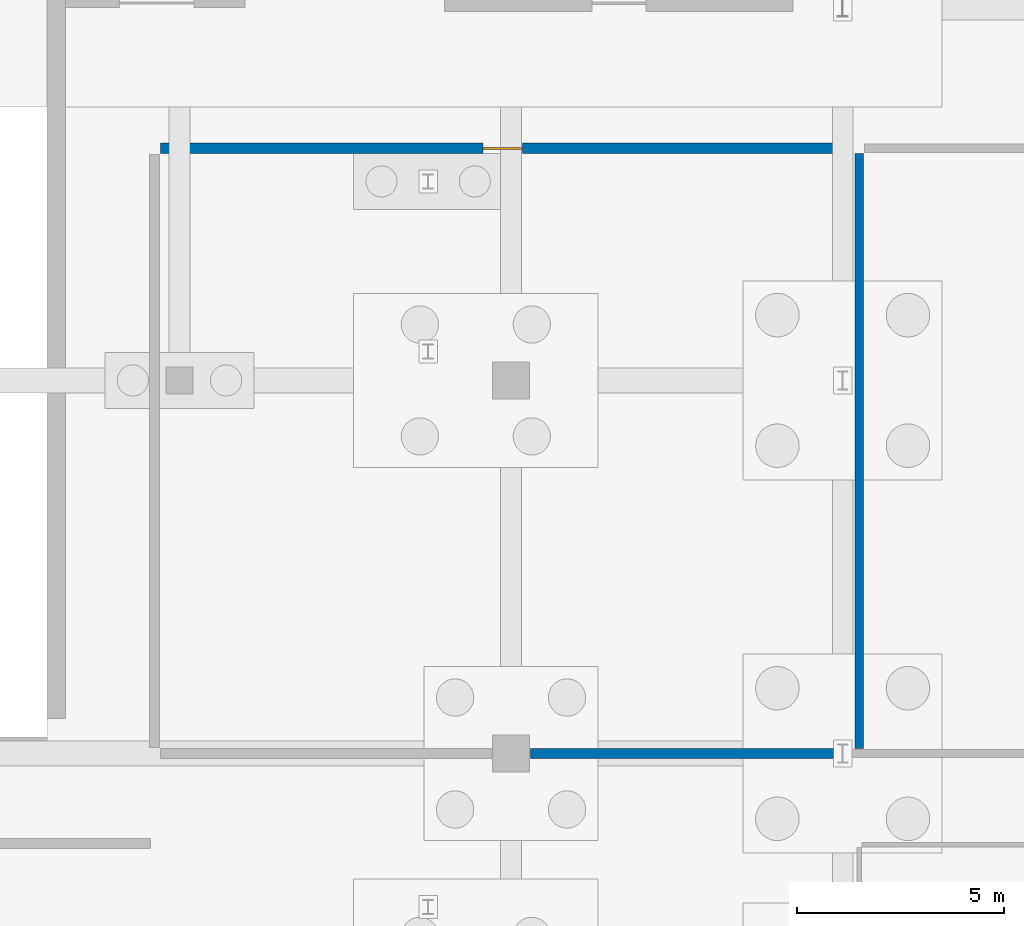
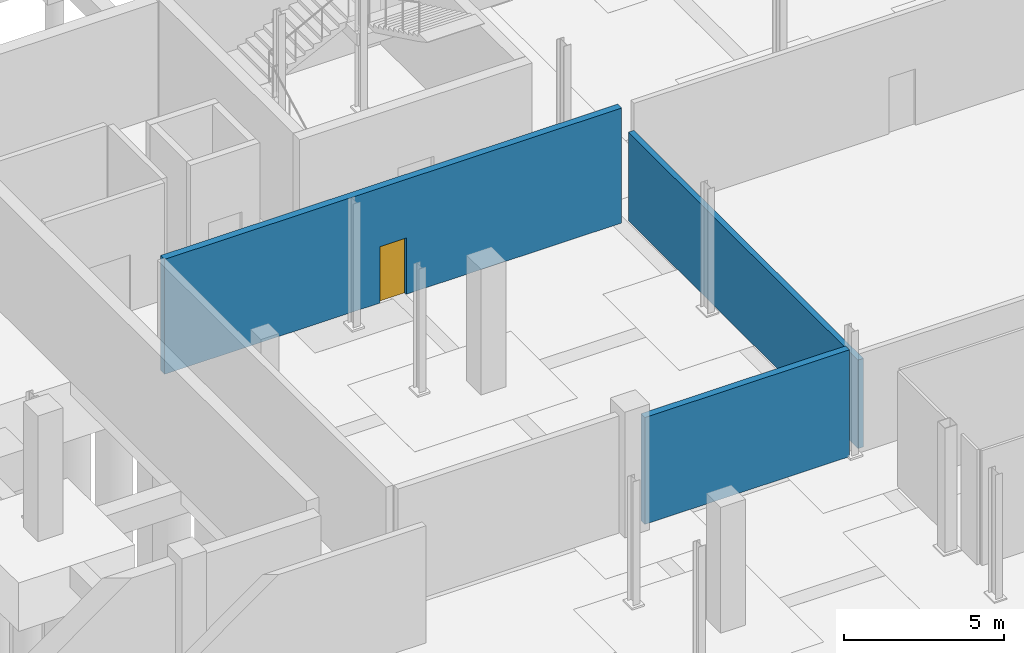
# One storey, part 26 of 32: 3 walls, 1 door, 1 opening.
"""IFC4 building model written with IfcOpenShell, lengths in metres."""

from ifc_helpers import new_model, si_unit, derived_unit, direction, frame, frame_2d, origin, place, context, subcontext, project, spatial, rectangle, extrude, material, layer, layer_set, type_object, element, fill, save


model = new_model("IFC4")

# Units and contexts
model_context = context("Model", 3, precision=1e-05, world=origin(), true_north=direction((0.0, 1.0)))
body_context = subcontext(model_context, "Body", "Model", "MODEL_VIEW")
ifc_project = project(units=[si_unit("LENGTHUNIT", "METRE"), si_unit("AREAUNIT", "SQUARE_METRE"), si_unit("VOLUMEUNIT", "CUBIC_METRE"), si_unit("PLANEANGLEUNIT", "RADIAN"), si_unit("MASSUNIT", "GRAM", prefix="KILO"), derived_unit("THERMALTRANSMITTANCEUNIT", [(si_unit("POWERUNIT", "WATT"), 1), (si_unit("LENGTHUNIT", "METRE"), -2), (si_unit("THERMODYNAMICTEMPERATUREUNIT", "KELVIN"), -1)])], contexts=[model_context])

# Site, building, storey
site_placement = place(None, origin())
site = spatial("IfcSite", under=ifc_project, at=site_placement, CompositionType="ELEMENT")
building_placement = place(site_placement, origin())
building = spatial("IfcBuilding", under=site, at=building_placement, Name="Nallur Shell Playhouse", CompositionType="ELEMENT")
storey_placement = place(building_placement, frame((0.0, 0.0, -4.800048828125)))
storey = spatial("IfcBuildingStorey", under=building, at=storey_placement, Name="B1", CompositionType="ELEMENT", Elevation=-4.800048828125)

# Wall
ifc_material_1 = material(Name="Concrete M30", Category="concrete")
ifc_layer_1 = layer(ifc_material_1, 0.199951171875)
ifc_layer_set_1 = layer_set([ifc_layer_1], Name="Concrete M30")
wall_type_1 = type_object("IfcWallType", Name="WL-PART-AC200", PredefinedType="PARTITIONING", material=ifc_layer_set_1)
wall_1_placement = place(storey_placement, frame((64.39990234375, 56.1201171875, 0.0), z_axis=(0.0, 0.0, 1.0), x_axis=(0.0, 1.0, 0.0)))
element("IfcWall", 1, at=wall_1_placement, inside=storey, type_object=wall_type_1, Name="Stage Trap & Revolving Lift Chamber partition IW-B1-0017", PredefinedType="PARTITIONING", context=body_context, shape_type="SweptSolid", body=[
    extrude(rectangle(XDim=14.35986328125, YDim=0.199951171875, at=frame_2d((7.179931640625, 0.0))), origin(), (0.0, 0.0, 1.0), 3.380126953125),
])

# Wall, opening, door
ifc_layer_2 = layer(ifc_material_1, 0.25)
ifc_layer_set_2 = layer_set([ifc_layer_2], Name="Concrete M30")
wall_type_2 = type_object("IfcWallType", Name="WL-PART-AC250", PredefinedType="PARTITIONING", material=ifc_layer_set_2)
wall_2_placement = place(storey_placement, frame((47.544921875, 70.60009765625, 0.0), z_axis=(0.0, 0.0, 1.0), x_axis=(1.0, 0.0, 0.0)))
wall_2 = element("IfcWall", 2, at=wall_2_placement, inside=storey, type_object=wall_type_2, Name="Fire Fighting Pump Room & 200kL Wet Riser Tank partition IW-B1-0021", PredefinedType="PARTITIONING", context=body_context, shape_type="SweptSolid", body=[
    extrude(rectangle(XDim=16.510009765625, YDim=0.25, at=frame_2d((8.2548828125, 0.0))), origin(), (0.0, 0.0, 1.0), 4.39013671875),
])
opening_placement = place(wall_2_placement, frame((7.780029296875, 0.0, 0.0)))
opening = element("IfcOpeningElement", 3, at=opening_placement, cuts=wall_2, Name="Opening ID-03", PredefinedType="OPENING", context=body_context, shape_type="SweptSolid", body=[
    extrude(rectangle(XDim=0.949951171875, YDim=2.14990234375, at=frame_2d((0.47509765625, 1.074951171875))), frame((0.0, 0.135009765625, 0.0), z_axis=(0.0, -1.0, 0.0), x_axis=(1.0, 0.0, 0.0)), (0.0, 0.0, 1.0), 0.27001953125),
])
ifc_material_2 = material(Name="Solid-Core Engineered Timber Door", Category="wood")
door_type = type_object("IfcDoorType", Name="DR-INT-SGL950L", OperationType="SINGLE_SWING_LEFT", PredefinedType="DOOR", material=ifc_material_2)
door_placement = place(opening_placement, origin())
door = element("IfcDoor", 4, at=door_placement, inside=storey, type_object=door_type, Name="Fire Fighting Pump Room & 200kL Wet Riser Tank door 1", OperationType="SINGLE_SWING_LEFT", OverallHeight=2.14990234375, OverallWidth=0.949951171875, PredefinedType="DOOR", context=body_context, shape_type="SweptSolid", body=[
    extrude(rectangle(XDim=0.949951171875, YDim=2.14990234375, at=frame_2d((0.47509765625, 1.074951171875))), frame((0.0, 0.02490234375, 0.0), z_axis=(0.0, -1.0, 0.0), x_axis=(1.0, 0.0, 0.0)), (0.0, 0.0, 1.0), 0.050048828125),
])
fill(opening, door)

# Wall
wall_3_placement = place(storey_placement, frame((63.860107421875, 56.0, 0.0), z_axis=(0.0, 0.0, 1.0), x_axis=(-1.0, 0.0, 0.0)))
element("IfcWall", 5, at=wall_3_placement, inside=storey, type_object=wall_type_2, Name="Fire Fighting Pump Room & 200kL Wet Riser Tank partition IW-B1-0022", PredefinedType="PARTITIONING", context=body_context, shape_type="SweptSolid", body=[
    extrude(rectangle(XDim=7.39501953125, YDim=0.25, at=frame_2d((3.697509765625, 0.0))), origin(), (0.0, 0.0, 1.0), 4.080078125),
])

save(model, "model.ifc")
